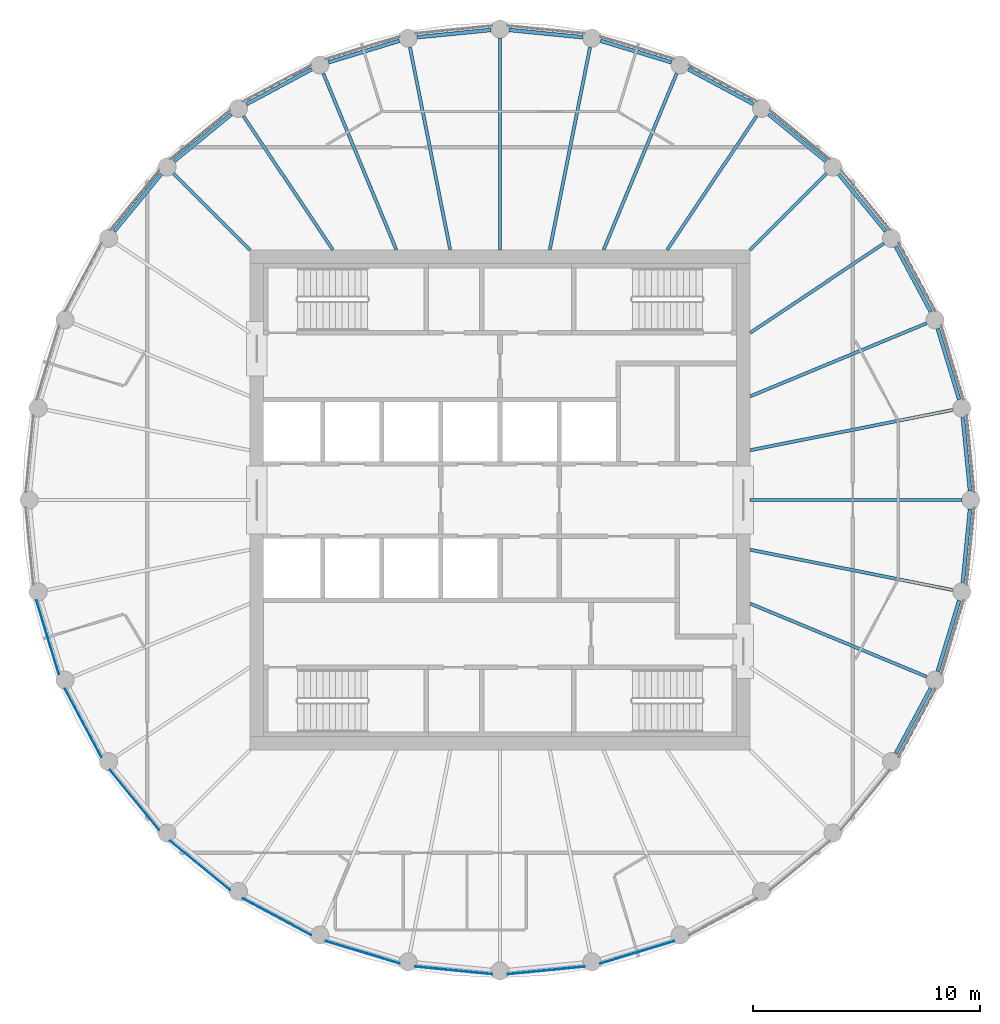
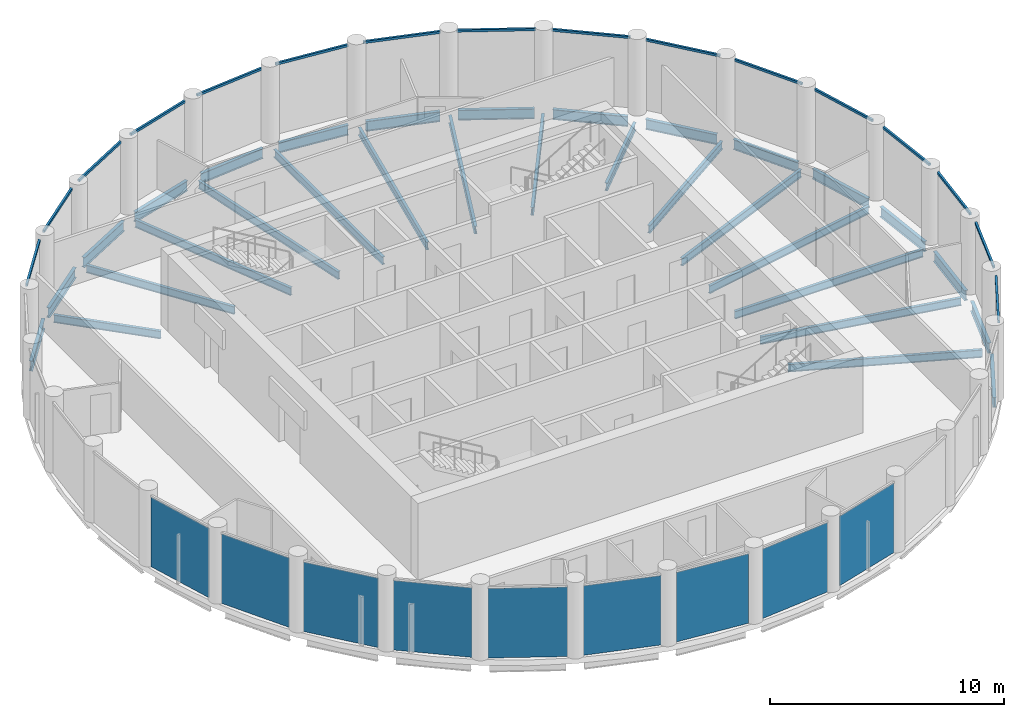
# One storey, part 2 of 7: 31 beams, 16 members, 9 plates, 25 elements without a shape of their own.
"""IFC4 building model written with IfcOpenShell, lengths in metres."""

from ifc_helpers import new_model, si_unit, direction, frame, origin, origin_2d, place, context, subcontext, project, spatial, rectangle, i_section, extrude, material, layer, layer_set, material_profile, profile_set, type_object, element, aggregate, save


model = new_model("IFC4")

# Units and contexts
model_context = context("Model", 3, precision=1e-05, world=origin(), true_north=direction((0.0, 1.0)))
body_context = subcontext(model_context, "Body", "Model", "MODEL_VIEW")
ifc_project = project(units=[si_unit("LENGTHUNIT", "METRE"), si_unit("AREAUNIT", "SQUARE_METRE"), si_unit("VOLUMEUNIT", "CUBIC_METRE"), si_unit("PLANEANGLEUNIT", "RADIAN"), si_unit("MASSUNIT", "GRAM", prefix="KILO")], contexts=[model_context])

# Site, building, storey
site_placement = place(None, origin())
site = spatial("IfcSite", under=ifc_project, at=site_placement, CompositionType="ELEMENT")
building_placement = place(site_placement, origin())
building = spatial("IfcBuilding", under=site, at=building_placement, Name="Corvane Civic Tower", CompositionType="ELEMENT")
storey_placement = place(building_placement, frame((0.0, 0.0, 376.5)))
storey = spatial("IfcBuildingStorey", under=building, at=storey_placement, Name="L90", CompositionType="ELEMENT", Elevation=376.5)

# Beams
ifc_material_1 = material(Name="Steel ASTM A992 Gr 50", Category="steel")
ifc_material_profile_1 = material_profile(ifc_material_1, i_section(OverallWidth=0.165771484375, OverallDepth=0.5283203125, WebThickness=0.009765625, FlangeThickness=0.013671875, at=origin_2d()), Name="W21X50")
ifc_profile_set_1 = profile_set([ifc_material_profile_1], Name="Steel ASTM A992 Gr 50")
beam_type_1 = type_object("IfcBeamType", Name="EDGE BEAM W21X50", PredefinedType="BEAM", material=ifc_profile_set_1)
beam_1_placement = place(storey_placement, frame((0.39794921875, 20.66064453125, -0.564208984375), z_axis=(0.995192503142, -0.097938152369, 0.0), x_axis=(0.097938152369, 0.995192503142, 0.0)))
element("IfcBeam", 1, at=beam_1_placement, inside=storey, type_object=beam_type_1, Name="BM-L90-E01", PredefinedType="BEAM", context=body_context, shape_type="SweptSolid", body=[
    extrude(i_section(OverallWidth=0.165771484375, OverallDepth=0.5283203125, WebThickness=0.009765625, FlangeThickness=0.013671875, at=origin_2d()), origin(), (0.0, 0.0, 1.0), 3.258056640625),
])
for number, where, z_axis, x_axis, name in (
    (2, (4.421142578125, 20.18603515625, -0.564208984375), (0.956955679349, -0.290234091317, 0.0), (0.290234091317, 0.956955679349, 0.0), "BM-L90-E02"),
    (3, (8.2744140625, 18.935791015625, -0.564208984375), (0.881894065907, -0.471447618, 0.0), (0.471447618, 0.881894065907, 0.0), "BM-L90-E03"),
    (4, (11.8095703125, 16.957763671875, -0.564208984375), (0.772984791903, -0.634424551454, 0.0), (0.634424551454, 0.772984791903, 0.0), "BM-L90-E04"),
    (5, (14.890869140625, 14.327880859375, -0.564208984375), (0.634424551454, -0.772984791903, 0.0), (0.772984791903, 0.634424551454, 0.0), "BM-L90-E05"),
    (6, (17.39990234375, 11.1474609375, -0.564208984375), (0.471447618, -0.881894065907, 0.0), (0.881894065907, 0.471447618, 0.0), "BM-L90-E06"),
    (7, (19.240478515625, 7.538818359375, -0.564208984375), (0.290234091317, -0.956955679349, 0.0), (0.956955679349, 0.290234091317, 0.0), "BM-L90-E07"),
):
    element("IfcBeam", number, at=place(storey_placement, frame(where, z_axis=z_axis, x_axis=x_axis)), inside=storey, type_object=beam_type_1, Name=name, PredefinedType="BEAM", context=body_context, shape_type="SweptSolid", body=[
        extrude(i_section(OverallWidth=0.165771484375, OverallDepth=0.5283203125, WebThickness=0.009765625, FlangeThickness=0.013671875, at=origin_2d()), origin(), (0.0, 0.0, 1.0), 3.2578125),
    ])
for number, where, z_axis, x_axis, name in (
    (8, (20.341552734375, 3.640380859375, -0.564208984375), (0.097938152369, -0.995192503142, 0.0), (0.995192503142, 0.097938152369, 0.0), "BM-L90-E08"),
    (9, (20.66064453125, -0.39794921875, -0.564208984375), (-0.097938152369, -0.995192503142, 0.0), (0.995192503142, -0.097938152369, 0.0), "BM-L90-E09"),
):
    element("IfcBeam", number, at=place(storey_placement, frame(where, z_axis=z_axis, x_axis=x_axis)), inside=storey, type_object=beam_type_1, Name=name, PredefinedType="BEAM", context=body_context, shape_type="SweptSolid", body=[
        extrude(i_section(OverallWidth=0.165771484375, OverallDepth=0.5283203125, WebThickness=0.009765625, FlangeThickness=0.013671875, at=origin_2d()), origin(), (0.0, 0.0, 1.0), 3.258056640625),
    ])
for number, where, z_axis, x_axis, name in (
    (10, (20.18603515625, -4.421142578125, -0.564208984375), (-0.290234091317, -0.956955679349, 0.0), (0.956955679349, -0.290234091317, 0.0), "BM-L90-E10"),
    (11, (18.935791015625, -8.2744140625, -0.564208984375), (-0.471447618, -0.881894065907, 0.0), (0.881894065907, -0.471447618, 0.0), "BM-L90-E11"),
    (12, (-16.957763671875, 11.8095703125, -0.564208984375), (0.634424551454, 0.772984791903, 0.0), (-0.772984791903, 0.634424551454, 0.0), "BM-L90-E28"),
    (13, (-14.327880859375, 14.890869140625, -0.564208984375), (0.772984791903, 0.634424551454, 0.0), (-0.634424551454, 0.772984791903, 0.0), "BM-L90-E29"),
    (14, (-11.1474609375, 17.39990234375, -0.564208984375), (0.881894065907, 0.471447618, 0.0), (-0.471447618, 0.881894065907, 0.0), "BM-L90-E30"),
    (15, (-7.538818359375, 19.240478515625, -0.564208984375), (0.956955679349, 0.290234091317, 0.0), (-0.290234091317, 0.956955679349, 0.0), "BM-L90-E31"),
):
    element("IfcBeam", number, at=place(storey_placement, frame(where, z_axis=z_axis, x_axis=x_axis)), inside=storey, type_object=beam_type_1, Name=name, PredefinedType="BEAM", context=body_context, shape_type="SweptSolid", body=[
        extrude(i_section(OverallWidth=0.165771484375, OverallDepth=0.5283203125, WebThickness=0.009765625, FlangeThickness=0.013671875, at=origin_2d()), origin(), (0.0, 0.0, 1.0), 3.2578125),
    ])
beam_2_placement = place(storey_placement, frame((-3.640380859375, 20.341552734375, -0.564208984375), z_axis=(0.995192503142, 0.097938152369, 0.0), x_axis=(-0.097938152369, 0.995192503142, 0.0)))
element("IfcBeam", 16, at=beam_2_placement, inside=storey, type_object=beam_type_1, Name="BM-L90-E32", PredefinedType="BEAM", context=body_context, shape_type="SweptSolid", body=[
    extrude(i_section(OverallWidth=0.165771484375, OverallDepth=0.5283203125, WebThickness=0.009765625, FlangeThickness=0.013671875, at=origin_2d()), origin(), (0.0, 0.0, 1.0), 3.258056640625),
])
ifc_material_2 = material(Name="Steel ASTM A992 Gr 50", Category="steel")
ifc_material_profile_2 = material_profile(ifc_material_2, i_section(OverallWidth=0.140380859375, OverallDepth=0.40380859375, WebThickness=0.007080078125, FlangeThickness=0.01123046875, at=origin_2d()), Name="W16X31")
ifc_profile_set_2 = profile_set([ifc_material_profile_2], Name="Steel ASTM A992 Gr 50")
beam_type_2 = type_object("IfcBeamType", Name="FLOOR GIRDER W16X31", PredefinedType="BEAM", material=ifc_profile_set_2)
beam_3_placement = place(storey_placement, frame((0.0, 11.0, -0.501953125), z_axis=(0.0, 1.0, 0.0), x_axis=(-1.0, 0.0, 0.0)))
element("IfcBeam", 17, at=beam_3_placement, inside=storey, type_object=beam_type_2, Name="BM-L90-G01", PredefinedType="BEAM", context=body_context, shape_type="SweptSolid", body=[
    extrude(i_section(OverallWidth=0.140380859375, OverallDepth=0.40380859375, WebThickness=0.007080078125, FlangeThickness=0.01123046875, at=origin_2d()), origin(), (0.0, 0.0, 1.0), 9.300048828125),
])
beam_4_placement = place(storey_placement, frame((2.18798828125, 11.0, -0.501953125), z_axis=(0.195108241061, 0.980781715913, 0.0), x_axis=(-0.980781715913, 0.195108241061, 0.0)))
element("IfcBeam", 18, at=beam_4_placement, inside=storey, type_object=beam_type_2, Name="BM-L90-G02", PredefinedType="BEAM", context=body_context, shape_type="SweptSolid", body=[
    extrude(i_section(OverallWidth=0.140380859375, OverallDepth=0.40380859375, WebThickness=0.007080078125, FlangeThickness=0.01123046875, at=origin_2d()), origin(), (0.0, 0.0, 1.0), 9.08447265625),
])
beam_5_placement = place(storey_placement, frame((4.556396484375, 11.0, -0.501953125), z_axis=(0.382691739894, 0.923876091377, 0.0), x_axis=(-0.923876091377, 0.382691739894, 0.0)))
element("IfcBeam", 19, at=beam_5_placement, inside=storey, type_object=beam_type_2, Name="BM-L90-G03", PredefinedType="BEAM", context=body_context, shape_type="SweptSolid", body=[
    extrude(i_section(OverallWidth=0.140380859375, OverallDepth=0.40380859375, WebThickness=0.007080078125, FlangeThickness=0.01123046875, at=origin_2d()), origin(), (0.0, 0.0, 1.0), 8.3935546875),
])
beam_6_placement = place(storey_placement, frame((7.349853515625, 11.0, -0.501953125), z_axis=(0.555576401385, 0.831465490699, 0.0), x_axis=(-0.831465490699, 0.555576401385, 0.0)))
element("IfcBeam", 20, at=beam_6_placement, inside=storey, type_object=beam_type_2, Name="BM-L90-G04", PredefinedType="BEAM", context=body_context, shape_type="SweptSolid", body=[
    extrude(i_section(OverallWidth=0.140380859375, OverallDepth=0.40380859375, WebThickness=0.007080078125, FlangeThickness=0.01123046875, at=origin_2d()), origin(), (0.0, 0.0, 1.0), 7.070556640625),
])
beam_7_placement = place(storey_placement, frame((11.0, 11.0, -0.501953125), z_axis=(0.707106781187, 0.707106781187, 0.0), x_axis=(-0.707106781187, 0.707106781187, 0.0)))
element("IfcBeam", 21, at=beam_7_placement, inside=storey, type_object=beam_type_2, Name="BM-L90-G05", PredefinedType="BEAM", context=body_context, shape_type="SweptSolid", body=[
    extrude(i_section(OverallWidth=0.140380859375, OverallDepth=0.40380859375, WebThickness=0.007080078125, FlangeThickness=0.01123046875, at=origin_2d()), origin(), (0.0, 0.0, 1.0), 4.74365234375),
])
beam_8_placement = place(storey_placement, frame((11.0, 7.349853515625, -0.501953125), z_axis=(0.831465490699, 0.555576401385, 0.0), x_axis=(-0.555576401385, 0.831465490699, 0.0)))
element("IfcBeam", 22, at=beam_8_placement, inside=storey, type_object=beam_type_2, Name="BM-L90-G06", PredefinedType="BEAM", context=body_context, shape_type="SweptSolid", body=[
    extrude(i_section(OverallWidth=0.140380859375, OverallDepth=0.40380859375, WebThickness=0.007080078125, FlangeThickness=0.01123046875, at=origin_2d()), origin(), (0.0, 0.0, 1.0), 7.070556640625),
])
beam_9_placement = place(storey_placement, frame((11.0, 4.556396484375, -0.501953125), z_axis=(0.923876091377, 0.382691739894, 0.0), x_axis=(-0.382691739894, 0.923876091377, 0.0)))
element("IfcBeam", 23, at=beam_9_placement, inside=storey, type_object=beam_type_2, Name="BM-L90-G07", PredefinedType="BEAM", context=body_context, shape_type="SweptSolid", body=[
    extrude(i_section(OverallWidth=0.140380859375, OverallDepth=0.40380859375, WebThickness=0.007080078125, FlangeThickness=0.01123046875, at=origin_2d()), origin(), (0.0, 0.0, 1.0), 8.3935546875),
])
beam_10_placement = place(storey_placement, frame((11.0, 2.18798828125, -0.501953125), z_axis=(0.980781715913, 0.195108241061, 0.0), x_axis=(-0.195108241061, 0.980781715913, 0.0)))
element("IfcBeam", 24, at=beam_10_placement, inside=storey, type_object=beam_type_2, Name="BM-L90-G08", PredefinedType="BEAM", context=body_context, shape_type="SweptSolid", body=[
    extrude(i_section(OverallWidth=0.140380859375, OverallDepth=0.40380859375, WebThickness=0.007080078125, FlangeThickness=0.01123046875, at=origin_2d()), origin(), (0.0, 0.0, 1.0), 9.08447265625),
])
beam_11_placement = place(storey_placement, frame((11.0, 0.0, -0.501953125), z_axis=(1.0, 0.0, 0.0), x_axis=(0.0, 1.0, 0.0)))
element("IfcBeam", 25, at=beam_11_placement, inside=storey, type_object=beam_type_2, Name="BM-L90-G09", PredefinedType="BEAM", context=body_context, shape_type="SweptSolid", body=[
    extrude(i_section(OverallWidth=0.140380859375, OverallDepth=0.40380859375, WebThickness=0.007080078125, FlangeThickness=0.01123046875, at=origin_2d()), origin(), (0.0, 0.0, 1.0), 9.300048828125),
])
beam_12_placement = place(storey_placement, frame((11.0, -2.18798828125, -0.501953125), z_axis=(0.980781715913, -0.195108241061, 0.0), x_axis=(0.195108241061, 0.980781715913, 0.0)))
element("IfcBeam", 26, at=beam_12_placement, inside=storey, type_object=beam_type_2, Name="BM-L90-G10", PredefinedType="BEAM", context=body_context, shape_type="SweptSolid", body=[
    extrude(i_section(OverallWidth=0.140380859375, OverallDepth=0.40380859375, WebThickness=0.007080078125, FlangeThickness=0.01123046875, at=origin_2d()), origin(), (0.0, 0.0, 1.0), 9.08447265625),
])
beam_13_placement = place(storey_placement, frame((11.0, -4.556396484375, -0.501953125), z_axis=(0.923876091377, -0.382691739894, 0.0), x_axis=(0.382691739894, 0.923876091377, 0.0)))
element("IfcBeam", 27, at=beam_13_placement, inside=storey, type_object=beam_type_2, Name="BM-L90-G11", PredefinedType="BEAM", context=body_context, shape_type="SweptSolid", body=[
    extrude(i_section(OverallWidth=0.140380859375, OverallDepth=0.40380859375, WebThickness=0.007080078125, FlangeThickness=0.01123046875, at=origin_2d()), origin(), (0.0, 0.0, 1.0), 8.3935546875),
])
beam_14_placement = place(storey_placement, frame((-11.0, 11.0, -0.501953125), z_axis=(-0.707106781187, 0.707106781187, 0.0), x_axis=(-0.707106781187, -0.707106781187, 0.0)))
element("IfcBeam", 28, at=beam_14_placement, inside=storey, type_object=beam_type_2, Name="BM-L90-G29", PredefinedType="BEAM", context=body_context, shape_type="SweptSolid", body=[
    extrude(i_section(OverallWidth=0.140380859375, OverallDepth=0.40380859375, WebThickness=0.007080078125, FlangeThickness=0.01123046875, at=origin_2d()), origin(), (0.0, 0.0, 1.0), 4.74365234375),
])
beam_15_placement = place(storey_placement, frame((-7.349853515625, 11.0, -0.501953125), z_axis=(-0.555576401385, 0.831465490699, 0.0), x_axis=(-0.831465490699, -0.555576401385, 0.0)))
element("IfcBeam", 29, at=beam_15_placement, inside=storey, type_object=beam_type_2, Name="BM-L90-G30", PredefinedType="BEAM", context=body_context, shape_type="SweptSolid", body=[
    extrude(i_section(OverallWidth=0.140380859375, OverallDepth=0.40380859375, WebThickness=0.007080078125, FlangeThickness=0.01123046875, at=origin_2d()), origin(), (0.0, 0.0, 1.0), 7.070556640625),
])
beam_16_placement = place(storey_placement, frame((-4.556396484375, 11.0, -0.501953125), z_axis=(-0.382691739894, 0.923876091377, 0.0), x_axis=(-0.923876091377, -0.382691739894, 0.0)))
element("IfcBeam", 30, at=beam_16_placement, inside=storey, type_object=beam_type_2, Name="BM-L90-G31", PredefinedType="BEAM", context=body_context, shape_type="SweptSolid", body=[
    extrude(i_section(OverallWidth=0.140380859375, OverallDepth=0.40380859375, WebThickness=0.007080078125, FlangeThickness=0.01123046875, at=origin_2d()), origin(), (0.0, 0.0, 1.0), 8.3935546875),
])
beam_17_placement = place(storey_placement, frame((-2.18798828125, 11.0, -0.501953125), z_axis=(-0.195108241061, 0.980781715913, 0.0), x_axis=(-0.980781715913, -0.195108241061, 0.0)))
element("IfcBeam", 31, at=beam_17_placement, inside=storey, type_object=beam_type_2, Name="BM-L90-G32", PredefinedType="BEAM", context=body_context, shape_type="SweptSolid", body=[
    extrude(i_section(OverallWidth=0.140380859375, OverallDepth=0.40380859375, WebThickness=0.007080078125, FlangeThickness=0.01123046875, at=origin_2d()), origin(), (0.0, 0.0, 1.0), 9.08447265625),
])

# Curtain wall, member
ifc_material_3 = material(Name="Anodised aluminium bronze", Category="aluminium")
curtain_wall_type = type_object("IfcCurtainWallType", Name="TOWER CW-T3 STICK CURTAIN WALL", PredefinedType="NOTDEFINED", material=ifc_material_3)
curtain_wall_1_placement = place(storey_placement, origin())
curtain_wall_1 = element("IfcCurtainWall", 32, at=curtain_wall_1_placement, inside=storey, type_object=curtain_wall_type, Name="Curtain wall CW-T3 L90 bay 01", PredefinedType="NOTDEFINED")
ifc_material_4 = material(Name="Anodised aluminium bronze", Category="aluminium")
ifc_material_profile_3 = material_profile(ifc_material_4, rectangle(XDim=0.10009765625, YDim=0.1201171875, at=origin_2d()), Name="TOWER CW-T3 TRANSOM 100x120")
ifc_profile_set_3 = profile_set([ifc_material_profile_3], Name="Anodised aluminium bronze")
member_type = type_object("IfcMemberType", Name="TOWER CW-T3 TRANSOM 100x120", PredefinedType="USERDEFINED", material=ifc_profile_set_3)
member_1_placement = place(storey_placement, frame((0.34375, 20.845947265625, 3.68994140625), z_axis=(0.995191564676, -0.097947688066, 0.0), x_axis=(0.097947688066, 0.995191564676, 0.0)))
member_1 = element("IfcMember", 33, at=member_1_placement, type_object=member_type, Name="Transom CW-T3 L90 01.1", ObjectType="TRANSOM", PredefinedType="USERDEFINED", context=body_context, shape_type="SweptSolid", body=[
    extrude(rectangle(XDim=0.10009765625, YDim=0.1201171875, at=origin_2d()), origin(), (0.0, 0.0, 1.0), 3.40234375),
])
aggregate(curtain_wall_1, [member_1])

curtain_wall_2_placement = place(storey_placement, origin())
curtain_wall_2 = element("IfcCurtainWall", 34, at=curtain_wall_2_placement, inside=storey, type_object=curtain_wall_type, Name="Curtain wall CW-T3 L90 bay 02", PredefinedType="NOTDEFINED")
member_2_placement = place(storey_placement, frame((4.40380859375, 20.37841796875, 3.68994140625), z_axis=(0.956961022204, -0.290216474345, 0.0), x_axis=(0.290216474345, 0.956961022204, 0.0)))
member_2 = element("IfcMember", 35, at=member_2_placement, type_object=member_type, Name="Transom CW-T3 L90 02.1", ObjectType="TRANSOM", PredefinedType="USERDEFINED", context=body_context, shape_type="SweptSolid", body=[
    extrude(rectangle(XDim=0.10009765625, YDim=0.1201171875, at=origin_2d()), origin(), (0.0, 0.0, 1.0), 3.40283203125),
])
aggregate(curtain_wall_2, [member_2])

curtain_wall_3_placement = place(storey_placement, origin())
curtain_wall_3 = element("IfcCurtainWall", 36, at=curtain_wall_3_placement, inside=storey, type_object=curtain_wall_type, Name="Curtain wall CW-T3 L90 bay 03", PredefinedType="NOTDEFINED")
member_3_placement = place(storey_placement, frame((8.294921875, 19.127685546875, 3.68994140625), z_axis=(0.881941440444, -0.471358988063, 0.0), x_axis=(0.471358988063, 0.881941440444, 0.0)))
member_3 = element("IfcMember", 37, at=member_3_placement, type_object=member_type, Name="Transom CW-T3 L90 03.1", ObjectType="TRANSOM", PredefinedType="USERDEFINED", context=body_context, shape_type="SweptSolid", body=[
    extrude(rectangle(XDim=0.10009765625, YDim=0.1201171875, at=origin_2d()), origin(), (0.0, 0.0, 1.0), 3.40234375),
])
aggregate(curtain_wall_3, [member_3])

curtain_wall_4_placement = place(storey_placement, origin())
curtain_wall_4 = element("IfcCurtainWall", 38, at=curtain_wall_4_placement, inside=storey, type_object=curtain_wall_type, Name="Curtain wall CW-T3 L90 bay 04", PredefinedType="NOTDEFINED")
member_4_placement = place(storey_placement, frame((11.8671875, 17.14208984375, 3.68994140625), z_axis=(0.773010217358, -0.634393571736, 0.0), x_axis=(0.634393571736, 0.773010217358, 0.0)))
member_4 = element("IfcMember", 39, at=member_4_placement, type_object=member_type, Name="Transom CW-T3 L90 04.1", ObjectType="TRANSOM", PredefinedType="USERDEFINED", context=body_context, shape_type="SweptSolid", body=[
    extrude(rectangle(XDim=0.10009765625, YDim=0.1201171875, at=origin_2d()), origin(), (0.0, 0.0, 1.0), 3.40283203125),
])
aggregate(curtain_wall_4, [member_4])

curtain_wall_5_placement = place(storey_placement, origin())
curtain_wall_5 = element("IfcCurtainWall", 40, at=curtain_wall_5_placement, inside=storey, type_object=curtain_wall_type, Name="Curtain wall CW-T3 L90 bay 05", PredefinedType="NOTDEFINED")
member_5_placement = place(storey_placement, frame((14.9833984375, 14.49755859375, 3.68994140625), z_axis=(0.634393571736, -0.773010217358, 0.0), x_axis=(0.773010217358, 0.634393571736, 0.0)))
member_5 = element("IfcMember", 41, at=member_5_placement, type_object=member_type, Name="Transom CW-T3 L90 05.1", ObjectType="TRANSOM", PredefinedType="USERDEFINED", context=body_context, shape_type="SweptSolid", body=[
    extrude(rectangle(XDim=0.10009765625, YDim=0.1201171875, at=origin_2d()), origin(), (0.0, 0.0, 1.0), 3.40283203125),
])
aggregate(curtain_wall_5, [member_5])

curtain_wall_6_placement = place(storey_placement, origin())
curtain_wall_6 = element("IfcCurtainWall", 42, at=curtain_wall_6_placement, inside=storey, type_object=curtain_wall_type, Name="Curtain wall CW-T3 L90 bay 06", PredefinedType="NOTDEFINED")
member_6_placement = place(storey_placement, frame((17.52392578125, 11.295654296875, 3.68994140625), z_axis=(0.471358988063, -0.881941440444, 0.0), x_axis=(0.881941440444, 0.471358988063, 0.0)))
member_6 = element("IfcMember", 43, at=member_6_placement, type_object=member_type, Name="Transom CW-T3 L90 06.1", ObjectType="TRANSOM", PredefinedType="USERDEFINED", context=body_context, shape_type="SweptSolid", body=[
    extrude(rectangle(XDim=0.10009765625, YDim=0.1201171875, at=origin_2d()), origin(), (0.0, 0.0, 1.0), 3.40234375),
])
aggregate(curtain_wall_6, [member_6])

curtain_wall_7_placement = place(storey_placement, origin())
curtain_wall_7 = element("IfcCurtainWall", 44, at=curtain_wall_7_placement, inside=storey, type_object=curtain_wall_type, Name="Curtain wall CW-T3 L90 bay 07", PredefinedType="NOTDEFINED")
member_7_placement = place(storey_placement, frame((19.390869140625, 7.66015625, 3.68994140625), z_axis=(0.290216474345, -0.956961022204, 0.0), x_axis=(0.956961022204, 0.290216474345, 0.0)))
member_7 = element("IfcMember", 45, at=member_7_placement, type_object=member_type, Name="Transom CW-T3 L90 07.1", ObjectType="TRANSOM", PredefinedType="USERDEFINED", context=body_context, shape_type="SweptSolid", body=[
    extrude(rectangle(XDim=0.10009765625, YDim=0.1201171875, at=origin_2d()), origin(), (0.0, 0.0, 1.0), 3.40283203125),
])
aggregate(curtain_wall_7, [member_7])

curtain_wall_8_placement = place(storey_placement, origin())
curtain_wall_8 = element("IfcCurtainWall", 46, at=curtain_wall_8_placement, inside=storey, type_object=curtain_wall_type, Name="Curtain wall CW-T3 L90 bay 08", PredefinedType="NOTDEFINED")
member_8_placement = place(storey_placement, frame((20.5126953125, 3.729736328125, 3.68994140625), z_axis=(0.097947688066, -0.995191564676, 0.0), x_axis=(0.995191564676, 0.097947688066, 0.0)))
member_8 = element("IfcMember", 47, at=member_8_placement, type_object=member_type, Name="Transom CW-T3 L90 08.1", ObjectType="TRANSOM", PredefinedType="USERDEFINED", context=body_context, shape_type="SweptSolid", body=[
    extrude(rectangle(XDim=0.10009765625, YDim=0.1201171875, at=origin_2d()), origin(), (0.0, 0.0, 1.0), 3.40234375),
])
aggregate(curtain_wall_8, [member_8])

curtain_wall_9_placement = place(storey_placement, origin())
curtain_wall_9 = element("IfcCurtainWall", 48, at=curtain_wall_9_placement, inside=storey, type_object=curtain_wall_type, Name="Curtain wall CW-T3 L90 bay 09", PredefinedType="NOTDEFINED")
member_9_placement = place(storey_placement, frame((20.845947265625, -0.34375, 3.68994140625), z_axis=(-0.097947688066, -0.995191564676, 0.0), x_axis=(0.995191564676, -0.097947688066, 0.0)))
member_9 = element("IfcMember", 49, at=member_9_placement, type_object=member_type, Name="Transom CW-T3 L90 09.1", ObjectType="TRANSOM", PredefinedType="USERDEFINED", context=body_context, shape_type="SweptSolid", body=[
    extrude(rectangle(XDim=0.10009765625, YDim=0.1201171875, at=origin_2d()), origin(), (0.0, 0.0, 1.0), 3.40234375),
])
aggregate(curtain_wall_9, [member_9])

curtain_wall_10_placement = place(storey_placement, origin())
curtain_wall_10 = element("IfcCurtainWall", 50, at=curtain_wall_10_placement, inside=storey, type_object=curtain_wall_type, Name="Curtain wall CW-T3 L90 bay 10", PredefinedType="NOTDEFINED")
member_10_placement = place(storey_placement, frame((20.37841796875, -4.40380859375, 3.68994140625), z_axis=(-0.290216474345, -0.956961022204, 0.0), x_axis=(0.956961022204, -0.290216474345, 0.0)))
member_10 = element("IfcMember", 51, at=member_10_placement, type_object=member_type, Name="Transom CW-T3 L90 10.1", ObjectType="TRANSOM", PredefinedType="USERDEFINED", context=body_context, shape_type="SweptSolid", body=[
    extrude(rectangle(XDim=0.10009765625, YDim=0.1201171875, at=origin_2d()), origin(), (0.0, 0.0, 1.0), 3.40283203125),
])
aggregate(curtain_wall_10, [member_10])

curtain_wall_11_placement = place(storey_placement, origin())
curtain_wall_11 = element("IfcCurtainWall", 52, at=curtain_wall_11_placement, inside=storey, type_object=curtain_wall_type, Name="Curtain wall CW-T3 L90 bay 11", PredefinedType="NOTDEFINED")
member_11_placement = place(storey_placement, frame((19.127685546875, -8.294921875, 3.68994140625), z_axis=(-0.471358988063, -0.881941440444, 0.0), x_axis=(0.881941440444, -0.471358988063, 0.0)))
member_11 = element("IfcMember", 53, at=member_11_placement, type_object=member_type, Name="Transom CW-T3 L90 11.1", ObjectType="TRANSOM", PredefinedType="USERDEFINED", context=body_context, shape_type="SweptSolid", body=[
    extrude(rectangle(XDim=0.10009765625, YDim=0.1201171875, at=origin_2d()), origin(), (0.0, 0.0, 1.0), 3.40234375),
])
aggregate(curtain_wall_11, [member_11])

curtain_wall_12_placement = place(storey_placement, origin())
curtain_wall_12 = element("IfcCurtainWall", 54, at=curtain_wall_12_placement, inside=storey, type_object=curtain_wall_type, Name="Curtain wall CW-T3 L90 bay 28", PredefinedType="NOTDEFINED")
member_12_placement = place(storey_placement, frame((-17.14208984375, 11.8671875, 3.68994140625), z_axis=(0.634393571736, 0.773010217358, 0.0), x_axis=(-0.773010217358, 0.634393571736, 0.0)))
member_12 = element("IfcMember", 55, at=member_12_placement, type_object=member_type, Name="Transom CW-T3 L90 28.1", ObjectType="TRANSOM", PredefinedType="USERDEFINED", context=body_context, shape_type="SweptSolid", body=[
    extrude(rectangle(XDim=0.10009765625, YDim=0.1201171875, at=origin_2d()), origin(), (0.0, 0.0, 1.0), 3.40283203125),
])
aggregate(curtain_wall_12, [member_12])

curtain_wall_13_placement = place(storey_placement, origin())
curtain_wall_13 = element("IfcCurtainWall", 56, at=curtain_wall_13_placement, inside=storey, type_object=curtain_wall_type, Name="Curtain wall CW-T3 L90 bay 29", PredefinedType="NOTDEFINED")
member_13_placement = place(storey_placement, frame((-14.49755859375, 14.9833984375, 3.68994140625), z_axis=(0.773010217358, 0.634393571736, 0.0), x_axis=(-0.634393571736, 0.773010217358, 0.0)))
member_13 = element("IfcMember", 57, at=member_13_placement, type_object=member_type, Name="Transom CW-T3 L90 29.1", ObjectType="TRANSOM", PredefinedType="USERDEFINED", context=body_context, shape_type="SweptSolid", body=[
    extrude(rectangle(XDim=0.10009765625, YDim=0.1201171875, at=origin_2d()), origin(), (0.0, 0.0, 1.0), 3.40283203125),
])
aggregate(curtain_wall_13, [member_13])

curtain_wall_14_placement = place(storey_placement, origin())
curtain_wall_14 = element("IfcCurtainWall", 58, at=curtain_wall_14_placement, inside=storey, type_object=curtain_wall_type, Name="Curtain wall CW-T3 L90 bay 30", PredefinedType="NOTDEFINED")
member_14_placement = place(storey_placement, frame((-11.295654296875, 17.52392578125, 3.68994140625), z_axis=(0.881941440444, 0.471358988063, 0.0), x_axis=(-0.471358988063, 0.881941440444, 0.0)))
member_14 = element("IfcMember", 59, at=member_14_placement, type_object=member_type, Name="Transom CW-T3 L90 30.1", ObjectType="TRANSOM", PredefinedType="USERDEFINED", context=body_context, shape_type="SweptSolid", body=[
    extrude(rectangle(XDim=0.10009765625, YDim=0.1201171875, at=origin_2d()), origin(), (0.0, 0.0, 1.0), 3.40234375),
])
aggregate(curtain_wall_14, [member_14])

curtain_wall_15_placement = place(storey_placement, origin())
curtain_wall_15 = element("IfcCurtainWall", 60, at=curtain_wall_15_placement, inside=storey, type_object=curtain_wall_type, Name="Curtain wall CW-T3 L90 bay 31", PredefinedType="NOTDEFINED")
member_15_placement = place(storey_placement, frame((-7.66015625, 19.390869140625, 3.68994140625), z_axis=(0.956961022204, 0.290216474345, 0.0), x_axis=(-0.290216474345, 0.956961022204, 0.0)))
member_15 = element("IfcMember", 61, at=member_15_placement, type_object=member_type, Name="Transom CW-T3 L90 31.1", ObjectType="TRANSOM", PredefinedType="USERDEFINED", context=body_context, shape_type="SweptSolid", body=[
    extrude(rectangle(XDim=0.10009765625, YDim=0.1201171875, at=origin_2d()), origin(), (0.0, 0.0, 1.0), 3.40283203125),
])
aggregate(curtain_wall_15, [member_15])

curtain_wall_16_placement = place(storey_placement, origin())
curtain_wall_16 = element("IfcCurtainWall", 62, at=curtain_wall_16_placement, inside=storey, type_object=curtain_wall_type, Name="Curtain wall CW-T3 L90 bay 32", PredefinedType="NOTDEFINED")
member_16_placement = place(storey_placement, frame((-3.729736328125, 20.5126953125, 3.68994140625), z_axis=(0.995191564676, 0.097947688066, 0.0), x_axis=(-0.097947688066, 0.995191564676, 0.0)))
member_16 = element("IfcMember", 63, at=member_16_placement, type_object=member_type, Name="Transom CW-T3 L90 32.1", ObjectType="TRANSOM", PredefinedType="USERDEFINED", context=body_context, shape_type="SweptSolid", body=[
    extrude(rectangle(XDim=0.10009765625, YDim=0.1201171875, at=origin_2d()), origin(), (0.0, 0.0, 1.0), 3.40234375),
])
aggregate(curtain_wall_16, [member_16])

# Curtain wall, plate
curtain_wall_17_placement = place(storey_placement, origin())
curtain_wall_17 = element("IfcCurtainWall", 64, at=curtain_wall_17_placement, inside=storey, type_object=curtain_wall_type, Name="Curtain wall CW-T3 L90 bay 15", PredefinedType="NOTDEFINED")
ifc_material_5 = material(Name="Tinted glass", Category="glass")
ifc_layer = layer(ifc_material_5, 0.028076171875)
ifc_layer_set = layer_set([ifc_layer], Name="Tinted glass")
plate_type = type_object("IfcPlateType", Name="TOWER CW-T3 PANEL IGU28", PredefinedType="CURTAIN_PANEL", material=ifc_layer_set)
plate_1_placement = place(storey_placement, frame((6.031982421875, -19.884765625, 0.0), z_axis=(0.0, 0.0, 1.0), x_axis=(-0.956938582641, -0.290290456359, 0.0)))
plate_1 = element("IfcPlate", 65, at=plate_1_placement, type_object=plate_type, Name="Glass panel CW-T3 L90 15.1", PredefinedType="CURTAIN_PANEL", context=body_context, shape_type="SweptSolid", body=[
    extrude(rectangle(XDim=3.40283203125, YDim=0.028076171875, at=origin_2d()), origin(), (0.0, 0.0, 1.0), 3.6298828125),
])
aggregate(curtain_wall_17, [plate_1])

curtain_wall_18_placement = place(storey_placement, origin())
curtain_wall_18 = element("IfcCurtainWall", 66, at=curtain_wall_18_placement, inside=storey, type_object=curtain_wall_type, Name="Curtain wall CW-T3 L90 bay 16", PredefinedType="NOTDEFINED")
plate_2_placement = place(storey_placement, frame((2.03662109375, -20.679443359375, 0.0), z_axis=(0.0, 0.0, 1.0), x_axis=(-0.995186641028, -0.097997701601, 0.0)))
plate_2 = element("IfcPlate", 67, at=plate_2_placement, type_object=plate_type, Name="Glass panel CW-T3 L90 16.1", PredefinedType="CURTAIN_PANEL", context=body_context, shape_type="SweptSolid", body=[
    extrude(rectangle(XDim=3.402587890625, YDim=0.028076171875, at=origin_2d()), origin(), (0.0, 0.0, 1.0), 3.6298828125),
])
aggregate(curtain_wall_18, [plate_2])

curtain_wall_19_placement = place(storey_placement, origin())
curtain_wall_19 = element("IfcCurtainWall", 68, at=curtain_wall_19_placement, inside=storey, type_object=curtain_wall_type, Name="Curtain wall CW-T3 L90 bay 17", PredefinedType="NOTDEFINED")
plate_3_placement = place(storey_placement, frame((-2.03662109375, -20.679443359375, 0.0), z_axis=(0.0, 0.0, 1.0), x_axis=(-0.995186641028, 0.097997701601, 0.0)))
plate_3 = element("IfcPlate", 69, at=plate_3_placement, type_object=plate_type, Name="Glass panel CW-T3 L90 17.1", PredefinedType="CURTAIN_PANEL", context=body_context, shape_type="SweptSolid", body=[
    extrude(rectangle(XDim=3.402587890625, YDim=0.028076171875, at=origin_2d()), origin(), (0.0, 0.0, 1.0), 3.6298828125),
])
aggregate(curtain_wall_19, [plate_3])

curtain_wall_20_placement = place(storey_placement, origin())
curtain_wall_20 = element("IfcCurtainWall", 70, at=curtain_wall_20_placement, inside=storey, type_object=curtain_wall_type, Name="Curtain wall CW-T3 L90 bay 18", PredefinedType="NOTDEFINED")
plate_4_placement = place(storey_placement, frame((-6.031982421875, -19.884765625, 0.0), z_axis=(0.0, 0.0, 1.0), x_axis=(-0.956938582641, 0.290290456359, 0.0)))
plate_4 = element("IfcPlate", 71, at=plate_4_placement, type_object=plate_type, Name="Glass panel CW-T3 L90 18.1", PredefinedType="CURTAIN_PANEL", context=body_context, shape_type="SweptSolid", body=[
    extrude(rectangle(XDim=3.40283203125, YDim=0.028076171875, at=origin_2d()), origin(), (0.0, 0.0, 1.0), 3.6298828125),
])
aggregate(curtain_wall_20, [plate_4])

curtain_wall_21_placement = place(storey_placement, origin())
curtain_wall_21 = element("IfcCurtainWall", 72, at=curtain_wall_21_placement, inside=storey, type_object=curtain_wall_type, Name="Curtain wall CW-T3 L90 bay 19", PredefinedType="NOTDEFINED")
plate_5_placement = place(storey_placement, frame((-9.79541015625, -18.325927734375, 0.0), z_axis=(0.0, 0.0, 1.0), x_axis=(-0.88192824848, 0.471383670202, 0.0)))
plate_5 = element("IfcPlate", 73, at=plate_5_placement, type_object=plate_type, Name="Glass panel CW-T3 L90 19.1", PredefinedType="CURTAIN_PANEL", context=body_context, shape_type="SweptSolid", body=[
    extrude(rectangle(XDim=3.40234375, YDim=0.028076171875, at=origin_2d()), origin(), (0.0, 0.0, 1.0), 3.6298828125),
])
aggregate(curtain_wall_21, [plate_5])

curtain_wall_22_placement = place(storey_placement, origin())
curtain_wall_22 = element("IfcCurtainWall", 74, at=curtain_wall_22_placement, inside=storey, type_object=curtain_wall_type, Name="Curtain wall CW-T3 L90 bay 20", PredefinedType="NOTDEFINED")
plate_6_placement = place(storey_placement, frame((-13.182373046875, -16.062744140625, 0.0), z_axis=(0.0, 0.0, 1.0), x_axis=(-0.773010369391, 0.634393386484, 0.0)))
plate_6 = element("IfcPlate", 75, at=plate_6_placement, type_object=plate_type, Name="Glass panel CW-T3 L90 20.1", PredefinedType="CURTAIN_PANEL", context=body_context, shape_type="SweptSolid", body=[
    extrude(rectangle(XDim=3.402587890625, YDim=0.028076171875, at=origin_2d()), origin(), (0.0, 0.0, 1.0), 3.6298828125),
])
aggregate(curtain_wall_22, [plate_6])

curtain_wall_23_placement = place(storey_placement, origin())
curtain_wall_23 = element("IfcCurtainWall", 76, at=curtain_wall_23_placement, inside=storey, type_object=curtain_wall_type, Name="Curtain wall CW-T3 L90 bay 21", PredefinedType="NOTDEFINED")
plate_7_placement = place(storey_placement, frame((-16.062744140625, -13.182373046875, 0.0), z_axis=(0.0, 0.0, 1.0), x_axis=(-0.634393386484, 0.773010369391, 0.0)))
plate_7 = element("IfcPlate", 77, at=plate_7_placement, type_object=plate_type, Name="Glass panel CW-T3 L90 21.1", PredefinedType="CURTAIN_PANEL", context=body_context, shape_type="SweptSolid", body=[
    extrude(rectangle(XDim=3.402587890625, YDim=0.028076171875, at=origin_2d()), origin(), (0.0, 0.0, 1.0), 3.6298828125),
])
aggregate(curtain_wall_23, [plate_7])

curtain_wall_24_placement = place(storey_placement, origin())
curtain_wall_24 = element("IfcCurtainWall", 78, at=curtain_wall_24_placement, inside=storey, type_object=curtain_wall_type, Name="Curtain wall CW-T3 L90 bay 22", PredefinedType="NOTDEFINED")
plate_8_placement = place(storey_placement, frame((-18.325927734375, -9.79541015625, 0.0), z_axis=(0.0, 0.0, 1.0), x_axis=(-0.471383670202, 0.88192824848, 0.0)))
plate_8 = element("IfcPlate", 79, at=plate_8_placement, type_object=plate_type, Name="Glass panel CW-T3 L90 22.1", PredefinedType="CURTAIN_PANEL", context=body_context, shape_type="SweptSolid", body=[
    extrude(rectangle(XDim=3.40234375, YDim=0.028076171875, at=origin_2d()), origin(), (0.0, 0.0, 1.0), 3.6298828125),
])
aggregate(curtain_wall_24, [plate_8])

curtain_wall_25_placement = place(storey_placement, origin())
curtain_wall_25 = element("IfcCurtainWall", 80, at=curtain_wall_25_placement, inside=storey, type_object=curtain_wall_type, Name="Curtain wall CW-T3 L90 bay 23", PredefinedType="NOTDEFINED")
plate_9_placement = place(storey_placement, frame((-19.884765625, -6.031982421875, 0.0), z_axis=(0.0, 0.0, 1.0), x_axis=(-0.290290456359, 0.956938582641, 0.0)))
plate_9 = element("IfcPlate", 81, at=plate_9_placement, type_object=plate_type, Name="Glass panel CW-T3 L90 23.1", PredefinedType="CURTAIN_PANEL", context=body_context, shape_type="SweptSolid", body=[
    extrude(rectangle(XDim=3.40283203125, YDim=0.028076171875, at=origin_2d()), origin(), (0.0, 0.0, 1.0), 3.6298828125),
])
aggregate(curtain_wall_25, [plate_9])

save(model, "model.ifc")
